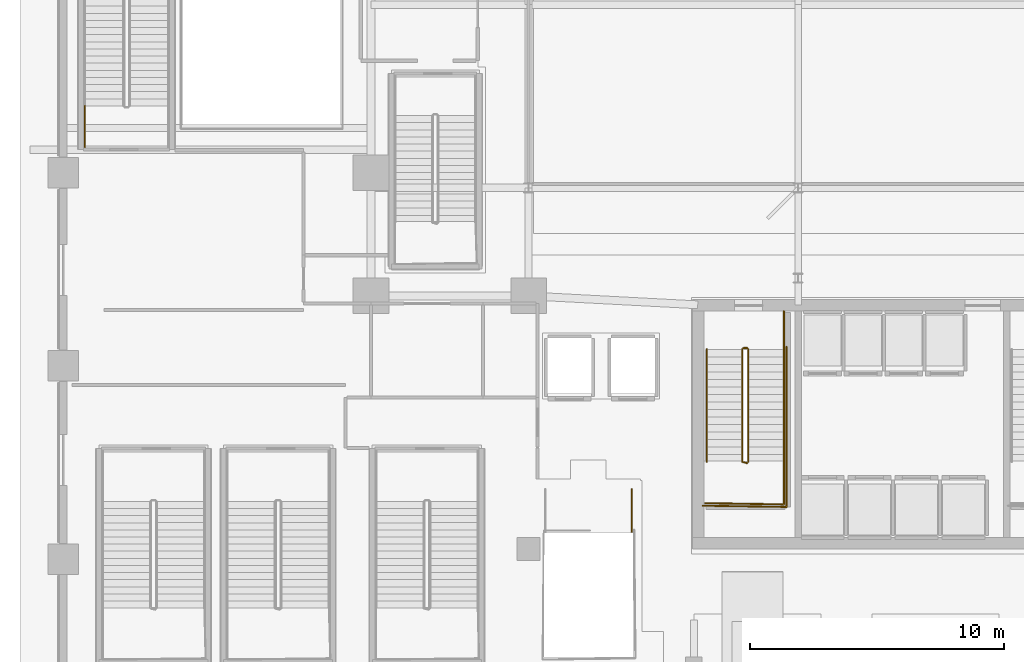
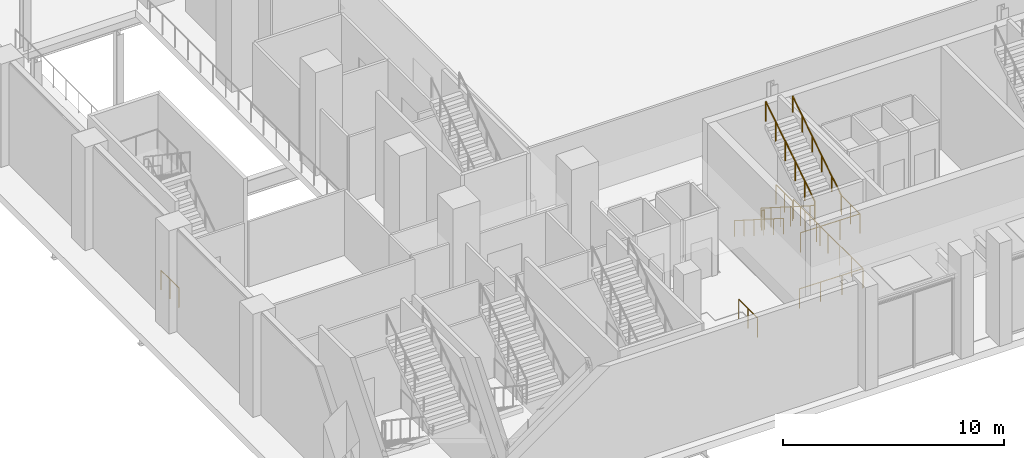
# One storey, part 27 of 36: 10 railings.
"""IFC4 building model written with IfcOpenShell, lengths in metres."""

from ifc_helpers import new_model, si_unit, direction, frame, origin, origin_2d, place, context, subcontext, project, spatial, circle, extrude, material, layer, layer_set, type_object, element, save


model = new_model("IFC4")

# Units and contexts
model_context = context("Model", 3, precision=1e-05, world=origin(), true_north=direction((0.0, 1.0)))
body_context = subcontext(model_context, "Body", "Model", "MODEL_VIEW")
ifc_project = project(units=[si_unit("LENGTHUNIT", "METRE"), si_unit("AREAUNIT", "SQUARE_METRE"), si_unit("VOLUMEUNIT", "CUBIC_METRE"), si_unit("PLANEANGLEUNIT", "RADIAN"), si_unit("MASSUNIT", "GRAM", prefix="KILO")], contexts=[model_context])

# Site, building, storey
site_placement = place(None, origin())
site = spatial("IfcSite", under=ifc_project, at=site_placement, CompositionType="ELEMENT")
building_placement = place(site_placement, origin())
building = spatial("IfcBuilding", under=site, at=building_placement, Name="Ndaravel Arena Tower", CompositionType="ELEMENT")
storey_placement = place(building_placement, origin())
storey = spatial("IfcBuildingStorey", under=building, at=storey_placement, Name="L00", CompositionType="ELEMENT", Elevation=0.0)

# Railings
ifc_material_1 = material(Name="Steel S355", Category="steel")
ifc_layer_1 = layer(ifc_material_1, 0.06005859375)
ifc_layer_set_1 = layer_set([ifc_layer_1], Name="Steel S355")
railing_type_1 = type_object("IfcRailingType", Name="RAIL-STAIR-GD1100", PredefinedType="GUARDRAIL", material=ifc_layer_set_1)
railing_1_placement = place(storey_placement, frame((28.39990234375, 13.25, 0.1875)))
element("IfcRailing", 1, at=railing_1_placement, inside=storey, type_object=railing_type_1, Name="L00 ST-1 stair guard 1", PredefinedType="GUARDRAIL", context=body_context, shape_type="SweptSolid", body=[
    extrude(circle(Radius=0.02392578125, at=origin_2d()), frame((0.0, 0.0, 1.076171875), z_axis=(0.0, -0.843958541447, 0.536408408136), x_axis=(1.0, 0.0, 0.0)), (0.0, 0.0, 1.0), 5.2431640625),
    extrude(circle(Radius=0.02392578125, at=origin_2d()), frame((0.0, -4.425048828125, 3.888671875), z_axis=(0.967074537263, -0.25449329928, 0.0), x_axis=(0.25449329928, 0.967074537263, 0.0)), (0.0, 0.0, 1.0), 0.19677734375),
    extrude(circle(Radius=0.02099609375, at=origin_2d()), origin(), (0.0, 0.0, 1.0), 1.052001953125),
    extrude(circle(Radius=0.02099609375, at=origin_2d()), frame((0.0, -0.885009765625, 0.5625)), (0.0, 0.0, 1.0), 1.052001953125),
    extrude(circle(Radius=0.02099609375, at=origin_2d()), frame((0.0, -1.77001953125, 1.125)), (0.0, 0.0, 1.0), 1.052001953125),
    extrude(circle(Radius=0.02099609375, at=origin_2d()), frame((0.0, -2.655029296875, 1.6875)), (0.0, 0.0, 1.0), 1.052001953125),
    extrude(circle(Radius=0.02099609375, at=origin_2d()), frame((0.0, -3.5400390625, 2.25)), (0.0, 0.0, 1.0), 1.052001953125),
    extrude(circle(Radius=0.02099609375, at=origin_2d()), frame((0.0, -4.425048828125, 2.8125)), (0.0, 0.0, 1.0), 1.052001953125),
    extrude(circle(Radius=0.02099609375, at=origin_2d()), frame((0.190185546875, -4.47509765625, 2.8125)), (0.0, 0.0, 1.0), 1.052001953125),
])
railing_2_placement = place(storey_placement, frame((30.0400390625, 8.824951171875, 3.0)))
element("IfcRailing", 2, at=railing_2_placement, inside=storey, type_object=railing_type_1, Name="L00 ST-1 stair guard 2", PredefinedType="GUARDRAIL", context=body_context, shape_type="SweptSolid", body=[
    extrude(circle(Radius=0.02392578125, at=origin_2d()), frame((0.0, 0.0, 1.076171875), z_axis=(0.0, -1.0, 0.0), x_axis=(1.0, 0.0, 0.0)), (0.0, 0.0, 1.0), 1.675048828125),
    extrude(circle(Radius=0.02392578125, at=origin_2d()), frame((0.0, -1.675048828125, 1.076171875), z_axis=(-0.999868861343, 0.016194447071, 0.0), x_axis=(-0.016194447071, -0.999868861343, 0.0)), (0.0, 0.0, 1.0), 3.090576171875),
    extrude(circle(Radius=0.02099609375, at=origin_2d()), origin(), (0.0, 0.0, 1.0), 1.052001953125),
    extrude(circle(Radius=0.02099609375, at=origin_2d()), frame((0.0, -0.83740234375, 0.0)), (0.0, 0.0, 1.0), 1.052001953125),
    extrude(circle(Radius=0.02099609375, at=origin_2d()), frame((0.0, -1.675048828125, 0.0)), (0.0, 0.0, 1.0), 1.052001953125),
    extrude(circle(Radius=0.02099609375, at=origin_2d()), frame((-1.030029296875, -1.658447265625, 0.0)), (0.0, 0.0, 1.0), 1.052001953125),
    extrude(circle(Radius=0.02099609375, at=origin_2d()), frame((-2.06005859375, -1.6416015625, 0.0)), (0.0, 0.0, 1.0), 1.052001953125),
    extrude(circle(Radius=0.02099609375, at=origin_2d()), frame((-3.090087890625, -1.625, 0.0)), (0.0, 0.0, 1.0), 1.052001953125),
])
railing_3_placement = place(storey_placement, frame((28.639892578125, 8.824951171875, 3.1875)))
element("IfcRailing", 3, at=railing_3_placement, inside=storey, type_object=railing_type_1, Name="L00 ST-1 stair guard 3", PredefinedType="GUARDRAIL", context=body_context, shape_type="SweptSolid", body=[
    extrude(circle(Radius=0.02392578125, at=origin_2d()), frame((0.0, 0.0, 1.076171875), z_axis=(0.0, 0.843958541447, 0.536408408136), x_axis=(-1.0, 0.0, 0.0)), (0.0, 0.0, 1.0), 5.2431640625),
    extrude(circle(Radius=0.02099609375, at=origin_2d()), origin(), (0.0, 0.0, 1.0), 1.052001953125),
    extrude(circle(Radius=0.02099609375, at=origin_2d()), frame((0.0, 0.885009765625, 0.5625)), (0.0, 0.0, 1.0), 1.052001953125),
    extrude(circle(Radius=0.02099609375, at=origin_2d()), frame((0.0, 1.77001953125, 1.125)), (0.0, 0.0, 1.0), 1.052001953125),
    extrude(circle(Radius=0.02099609375, at=origin_2d()), frame((0.0, 2.655029296875, 1.6875)), (0.0, 0.0, 1.0), 1.052001953125),
    extrude(circle(Radius=0.02099609375, at=origin_2d()), frame((0.0, 3.5400390625, 2.25)), (0.0, 0.0, 1.0), 1.052001953125),
    extrude(circle(Radius=0.02099609375, at=origin_2d()), frame((0.0, 4.425048828125, 2.8125)), (0.0, 0.0, 1.0), 1.052001953125),
])
railing_4_placement = place(storey_placement, frame((28.449951171875, 13.300048828125, 0.0)))
element("IfcRailing", 4, at=railing_4_placement, inside=storey, type_object=railing_type_1, Name="L00 ST-1 stair guard 4", PredefinedType="GUARDRAIL", context=body_context, shape_type="SweptSolid", body=[
    extrude(circle(Radius=0.02392578125, at=origin_2d()), frame((0.0, 0.0, 1.076171875), z_axis=(1.0, 0.0, 0.0), x_axis=(0.0, 1.0, 0.0)), (0.0, 0.0, 1.0), 0.14013671875),
    extrude(circle(Radius=0.02099609375, at=origin_2d()), origin(), (0.0, 0.0, 1.0), 1.052001953125),
    extrude(circle(Radius=0.02099609375, at=origin_2d()), frame((0.14013671875, 0.0, 0.0)), (0.0, 0.0, 1.0), 1.052001953125),
])
railing_5_placement = place(storey_placement, frame((30.0400390625, 14.75, 0.0)))
element("IfcRailing", 5, at=railing_5_placement, inside=storey, type_object=railing_type_1, Name="L00 ST-1 stair guard 5", PredefinedType="GUARDRAIL", context=body_context, shape_type="SweptSolid", body=[
    extrude(circle(Radius=0.02392578125, at=origin_2d()), frame((0.0, 0.0, 1.076171875), z_axis=(0.0, -1.0, 0.0), x_axis=(1.0, 0.0, 0.0)), (0.0, 0.0, 1.0), 1.5),
    extrude(circle(Radius=0.02099609375, at=origin_2d()), origin(), (0.0, 0.0, 1.0), 1.052001953125),
    extrude(circle(Radius=0.02099609375, at=origin_2d()), frame((0.0, -0.75, 0.0)), (0.0, 0.0, 1.0), 1.052001953125),
    extrude(circle(Radius=0.02099609375, at=origin_2d()), frame((0.0, -1.5, 0.0)), (0.0, 0.0, 1.0), 1.052001953125),
])
railing_6_placement = place(storey_placement, frame((30.139892578125, 13.35009765625, 0.0)))
element("IfcRailing", 6, at=railing_6_placement, inside=storey, type_object=railing_type_1, Name="L00 ST-1 stair guard 6", PredefinedType="GUARDRAIL", context=body_context, shape_type="SweptSolid", body=[
    extrude(circle(Radius=0.02392578125, at=origin_2d()), frame((0.0, 0.0, 1.076171875), z_axis=(0.0, -1.0, 0.0), x_axis=(1.0, 0.0, 0.0)), (0.0, 0.0, 1.0), 6.300048828125),
    extrude(circle(Radius=0.02392578125, at=origin_2d()), frame((0.0, -6.300048828125, 1.076171875), z_axis=(-0.999884296952, 0.015211597839, 0.0), x_axis=(-0.015211597839, -0.999884296952, 0.0)), (0.0, 0.0, 1.0), 3.290283203125),
    extrude(circle(Radius=0.02099609375, at=origin_2d()), origin(), (0.0, 0.0, 1.0), 1.052001953125),
    extrude(circle(Radius=0.02099609375, at=origin_2d()), frame((0.0, -1.050048828125, 0.0)), (0.0, 0.0, 1.0), 1.052001953125),
    extrude(circle(Radius=0.02099609375, at=origin_2d()), frame((0.0, -2.10009765625, 0.0)), (0.0, 0.0, 1.0), 1.052001953125),
    extrude(circle(Radius=0.02099609375, at=origin_2d()), frame((0.0, -3.14990234375, 0.0)), (0.0, 0.0, 1.0), 1.052001953125),
    extrude(circle(Radius=0.02099609375, at=origin_2d()), frame((0.0, -4.199951171875, 0.0)), (0.0, 0.0, 1.0), 1.052001953125),
    extrude(circle(Radius=0.02099609375, at=origin_2d()), frame((0.0, -5.25, 0.0)), (0.0, 0.0, 1.0), 1.052001953125),
    extrude(circle(Radius=0.02099609375, at=origin_2d()), frame((0.0, -6.300048828125, 0.0)), (0.0, 0.0, 1.0), 1.052001953125),
    extrude(circle(Radius=0.02099609375, at=origin_2d()), frame((-1.0966796875, -6.283447265625, 0.0)), (0.0, 0.0, 1.0), 1.052001953125),
    extrude(circle(Radius=0.02099609375, at=origin_2d()), frame((-2.193115234375, -6.2666015625, 0.0)), (0.0, 0.0, 1.0), 1.052001953125),
    extrude(circle(Radius=0.02099609375, at=origin_2d()), frame((-3.289794921875, -6.25, 0.0)), (0.0, 0.0, 1.0), 1.052001953125),
])
railing_7_placement = place(storey_placement, frame((2.550048828125, 21.199951171875, 0.0)))
element("IfcRailing", 7, at=railing_7_placement, inside=storey, type_object=railing_type_1, Name="L00 ST-A07 stair guard 6", PredefinedType="GUARDRAIL", context=body_context, shape_type="SweptSolid", body=[
    extrude(circle(Radius=0.02392578125, at=origin_2d()), frame((0.0, 0.0, 1.076171875), z_axis=(0.0, 1.0, 0.0), x_axis=(-1.0, 0.0, 0.0)), (0.0, 0.0, 1.0), 1.6201171875),
    extrude(circle(Radius=0.02099609375, at=origin_2d()), origin(), (0.0, 0.0, 1.0), 1.052001953125),
    extrude(circle(Radius=0.02099609375, at=origin_2d()), frame((0.0, 0.81005859375, 0.0)), (0.0, 0.0, 1.0), 1.052001953125),
    extrude(circle(Radius=0.02099609375, at=origin_2d()), frame((0.0, 1.6201171875, 0.0)), (0.0, 0.0, 1.0), 1.052001953125),
])
railing_8_placement = place(storey_placement, frame((24.050048828125, 7.75, 0.0)))
element("IfcRailing", 8, at=railing_8_placement, inside=storey, type_object=railing_type_1, Name="L00 ST-B1 top well guard 3", PredefinedType="GUARDRAIL", context=body_context, shape_type="SweptSolid", body=[
    extrude(circle(Radius=0.02392578125, at=origin_2d()), frame((0.0, 0.0, 1.076171875), z_axis=(0.0, -1.0, 0.0), x_axis=(1.0, 0.0, 0.0)), (0.0, 0.0, 1.0), 1.679931640625),
    extrude(circle(Radius=0.02099609375, at=origin_2d()), origin(), (0.0, 0.0, 1.0), 1.052001953125),
    extrude(circle(Radius=0.02099609375, at=origin_2d()), frame((0.0, -0.83984375, 0.0)), (0.0, 0.0, 1.0), 1.052001953125),
    extrude(circle(Radius=0.02099609375, at=origin_2d()), frame((0.0, -1.679931640625, 0.0)), (0.0, 0.0, 1.0), 1.052001953125),
])
ifc_material_2 = material(Name="Steel S355", Category="steel")
ifc_layer_2 = layer(ifc_material_2, 0.050048828125)
ifc_layer_set_2 = layer_set([ifc_layer_2], Name="Steel S355")
railing_type_2 = type_object("IfcRailingType", Name="RAIL-STAIR-HR920", PredefinedType="HANDRAIL", material=ifc_layer_set_2)
railing_9_placement = place(storey_placement, frame((27.0, 13.25, 0.1875)))
element("IfcRailing", 9, at=railing_9_placement, inside=storey, type_object=railing_type_2, Name="L00 ST-1 stair handrail 1", PredefinedType="HANDRAIL", context=body_context, shape_type="SweptSolid", body=[
    extrude(circle(Radius=0.02392578125, at=origin_2d()), frame((0.0, 0.0, 0.8759765625), z_axis=(0.0, -0.843958541447, 0.536408408136), x_axis=(1.0, 0.0, 0.0)), (0.0, 0.0, 1.0), 5.2431640625),
    extrude(circle(Radius=0.02099609375, at=origin_2d()), origin(), (0.0, 0.0, 1.0), 0.851806640625),
    extrude(circle(Radius=0.02099609375, at=origin_2d()), frame((0.0, -0.885009765625, 0.5625)), (0.0, 0.0, 1.0), 0.851806640625),
    extrude(circle(Radius=0.02099609375, at=origin_2d()), frame((0.0, -1.77001953125, 1.125)), (0.0, 0.0, 1.0), 0.851806640625),
    extrude(circle(Radius=0.02099609375, at=origin_2d()), frame((0.0, -2.655029296875, 1.6875)), (0.0, 0.0, 1.0), 0.851806640625),
    extrude(circle(Radius=0.02099609375, at=origin_2d()), frame((0.0, -3.5400390625, 2.25)), (0.0, 0.0, 1.0), 0.851806640625),
    extrude(circle(Radius=0.02099609375, at=origin_2d()), frame((0.0, -4.425048828125, 2.8125)), (0.0, 0.0, 1.0), 0.851806640625),
])
railing_10_placement = place(storey_placement, frame((30.0400390625, 8.824951171875, 3.1875)))
element("IfcRailing", 10, at=railing_10_placement, inside=storey, type_object=railing_type_2, Name="L00 ST-1 stair handrail 2", PredefinedType="HANDRAIL", context=body_context, shape_type="SweptSolid", body=[
    extrude(circle(Radius=0.02392578125, at=origin_2d()), frame((0.0, 0.0, 0.8759765625), z_axis=(0.0, 0.843958541447, 0.536408408136), x_axis=(-1.0, 0.0, 0.0)), (0.0, 0.0, 1.0), 5.2431640625),
    extrude(circle(Radius=0.02099609375, at=origin_2d()), origin(), (0.0, 0.0, 1.0), 0.851806640625),
    extrude(circle(Radius=0.02099609375, at=origin_2d()), frame((0.0, 0.885009765625, 0.5625)), (0.0, 0.0, 1.0), 0.851806640625),
    extrude(circle(Radius=0.02099609375, at=origin_2d()), frame((0.0, 1.77001953125, 1.125)), (0.0, 0.0, 1.0), 0.851806640625),
    extrude(circle(Radius=0.02099609375, at=origin_2d()), frame((0.0, 2.655029296875, 1.6875)), (0.0, 0.0, 1.0), 0.851806640625),
    extrude(circle(Radius=0.02099609375, at=origin_2d()), frame((0.0, 3.5400390625, 2.25)), (0.0, 0.0, 1.0), 0.851806640625),
    extrude(circle(Radius=0.02099609375, at=origin_2d()), frame((0.0, 4.425048828125, 2.8125)), (0.0, 0.0, 1.0), 0.851806640625),
])

save(model, "model.ifc")
